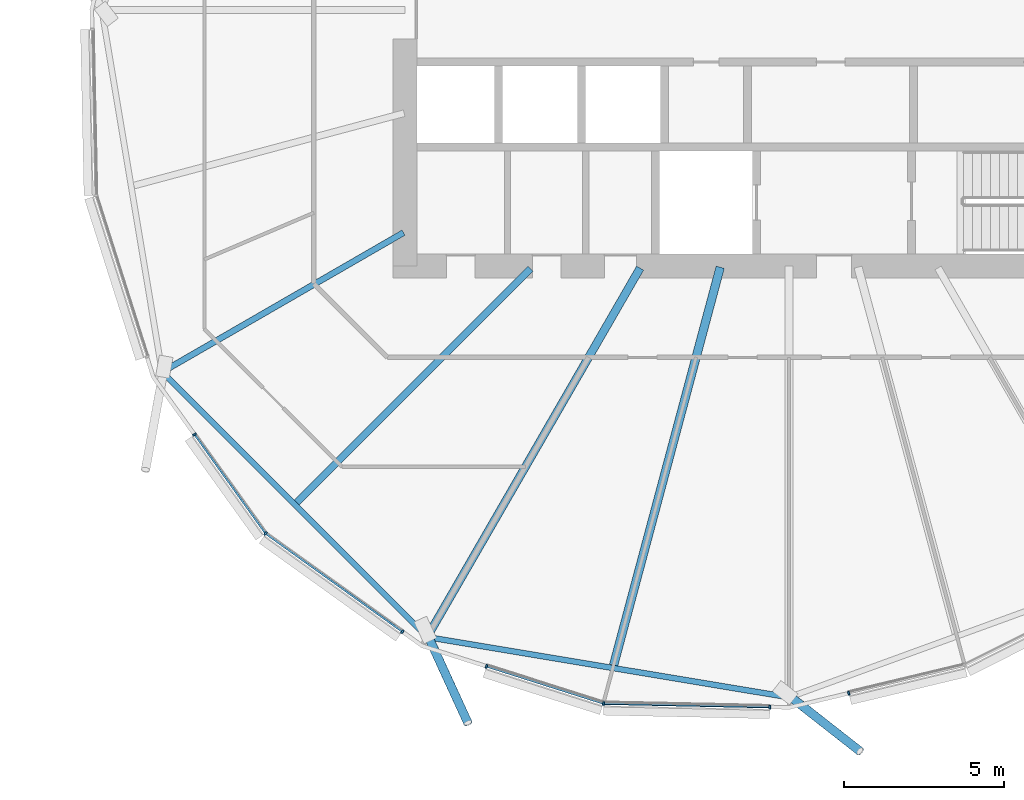
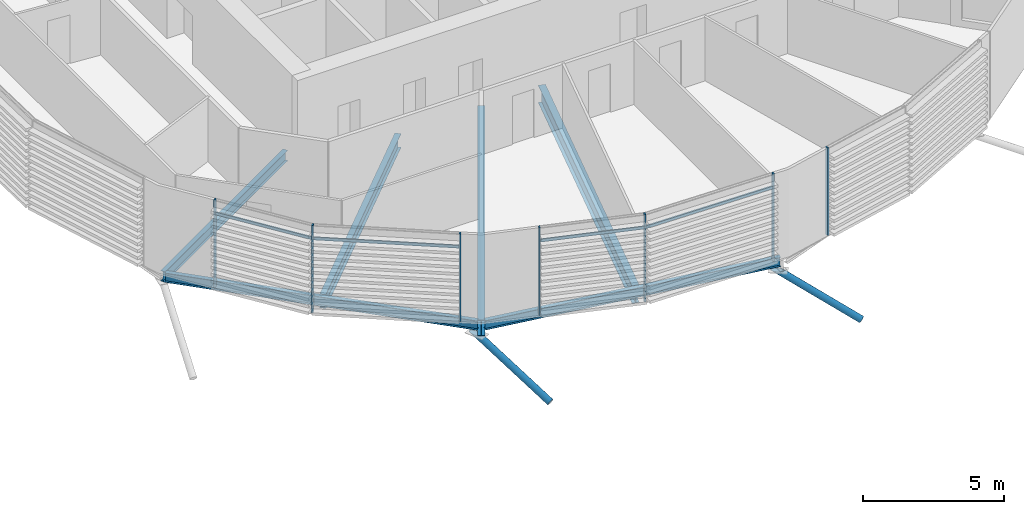
# One storey, part 13 of 38: 13 members, 6 beams, 1 element without a shape of its own.
"""IFC4 building model written with IfcOpenShell, lengths in metres."""

from ifc_helpers import new_model, si_unit, direction, frame, origin, origin_2d, place, context, subcontext, project, spatial, rectangle, hollow_circle, i_section, extrude, clip, halfspace, material, material_profile, profile_set, type_object, element, aggregate, save


model = new_model("IFC4")

# Units and contexts
model_context = context("Model", 3, precision=1e-05, world=origin(), true_north=direction((0.0, 1.0)))
body_context = subcontext(model_context, "Body", "Model", "MODEL_VIEW")
ifc_project = project(units=[si_unit("LENGTHUNIT", "METRE"), si_unit("AREAUNIT", "SQUARE_METRE"), si_unit("VOLUMEUNIT", "CUBIC_METRE"), si_unit("PLANEANGLEUNIT", "RADIAN"), si_unit("MASSUNIT", "GRAM", prefix="KILO")], contexts=[model_context])

# Site, building, storey
site_placement = place(None, origin())
site = spatial("IfcSite", under=ifc_project, at=site_placement, CompositionType="ELEMENT")
building_placement = place(site_placement, origin())
building = spatial("IfcBuilding", under=site, at=building_placement, Name="Rimbun Link Towers", CompositionType="ELEMENT")
storey_placement = place(building_placement, frame((0.0, 0.0, 123.39990234375)))
storey = spatial("IfcBuildingStorey", under=building, at=storey_placement, Name="L30", CompositionType="ELEMENT", Elevation=123.39990234375)

# Curtain wall, members
ifc_material_1 = material(Name="Aluminium 6063-T6 and low-iron glass", Category="aluminium")
curtain_wall_type = type_object("IfcCurtainWallType", Name="CW1-Z2 unitised vision wall (zone 2)", PredefinedType="NOTDEFINED", material=ifc_material_1)
curtain_wall_placement = place(storey_placement, origin())
curtain_wall = element("IfcCurtainWall", 1, at=curtain_wall_placement, inside=storey, type_object=curtain_wall_type, Name="CW1 L30 T2", PredefinedType="NOTDEFINED")
ifc_material_2 = material(Name="Aluminium 6063-T6", Category="aluminium")
ifc_material_profile_1 = material_profile(ifc_material_2, rectangle(XDim=0.1201171875, YDim=0.06005859375, at=origin_2d()), Name="MULLION 60X120")
ifc_profile_set_1 = profile_set([ifc_material_profile_1], Name="Aluminium 6063-T6")
member_type_1 = type_object("IfcMemberType", Name="CW1 mullion 60X120", PredefinedType="MULLION", material=ifc_profile_set_1)
member_1_placement = place(storey_placement, frame((15.39404296875, -16.35595703125, 0.0), z_axis=(0.0, 0.0, 1.0), x_axis=(-0.707106781187, -0.707106781187, 0.0)))
member_1 = element("IfcMember", 2, at=member_1_placement, type_object=member_type_1, Name="CW1 mullion", PredefinedType="MULLION", context=body_context, shape_type="SweptSolid", body=[
    extrude(rectangle(XDim=0.1201171875, YDim=0.06005859375, at=origin_2d()), origin(), (0.0, 0.0, 1.0), 3.800048828125),
])
member_2_placement = place(storey_placement, frame((13.171875, -13.2607421875, 0.0), z_axis=(0.0, 0.0, 1.0), x_axis=(-0.812469264421, -0.583004026034, 0.0)))
member_2 = element("IfcMember", 3, at=member_2_placement, type_object=member_type_1, Name="CW1 mullion", PredefinedType="MULLION", context=body_context, shape_type="SweptSolid", body=[
    extrude(rectangle(XDim=0.1201171875, YDim=0.06005859375, at=origin_2d()), origin(), (0.0, 0.0, 1.0), 3.800048828125),
])
member_3_placement = place(storey_placement, frame((19.667236328125, -19.42333984375, 0.0), z_axis=(0.0, 0.0, 1.0), x_axis=(-0.583004026034, -0.812469264421, 0.0)))
member_3 = element("IfcMember", 4, at=member_3_placement, type_object=member_type_1, Name="CW1 mullion", PredefinedType="MULLION", context=body_context, shape_type="SweptSolid", body=[
    extrude(rectangle(XDim=0.1201171875, YDim=0.06005859375, at=origin_2d()), origin(), (0.0, 0.0, 1.0), 3.800048828125),
])
member_4_placement = place(storey_placement, frame((25.9501953125, -21.66748046875, 0.0), z_axis=(0.0, 0.0, 1.0), x_axis=(-0.163751300484, -0.98650165311, 0.0)))
member_4 = element("IfcMember", 5, at=member_4_placement, type_object=member_type_1, Name="CW1 mullion", PredefinedType="MULLION", context=body_context, shape_type="SweptSolid", body=[
    extrude(rectangle(XDim=0.1201171875, YDim=0.06005859375, at=origin_2d()), origin(), (0.0, 0.0, 1.0), 3.800048828125),
])
member_5_placement = place(storey_placement, frame((22.294677734375, -20.505615234375, 0.0), z_axis=(0.0, 0.0, 1.0), x_axis=(-0.303073433186, -0.952967205153, 0.0)))
member_5 = element("IfcMember", 6, at=member_5_placement, type_object=member_type_1, Name="CW1 mullion", PredefinedType="MULLION", context=body_context, shape_type="SweptSolid", body=[
    extrude(rectangle(XDim=0.1201171875, YDim=0.06005859375, at=origin_2d()), origin(), (0.0, 0.0, 1.0), 3.800048828125),
])
member_6_placement = place(storey_placement, frame((31.14892578125, -21.777587890625, 0.0), z_axis=(0.0, 0.0, 1.0), x_axis=(-0.02106649948, -0.999778076675, 0.0)))
member_6 = element("IfcMember", 7, at=member_6_placement, type_object=member_type_1, Name="CW1 mullion", PredefinedType="MULLION", context=body_context, shape_type="SweptSolid", body=[
    extrude(rectangle(XDim=0.1201171875, YDim=0.06005859375, at=origin_2d()), origin(), (0.0, 0.0, 1.0), 3.800048828125),
])
member_7_placement = place(storey_placement, frame((33.61181640625, -21.3466796875, 0.0), z_axis=(0.0, 0.0, 1.0), x_axis=(0.232603182737, -0.972571724543, 0.0)))
member_7 = element("IfcMember", 8, at=member_7_placement, type_object=member_type_1, Name="CW1 mullion", PredefinedType="MULLION", context=body_context, shape_type="SweptSolid", body=[
    extrude(rectangle(XDim=0.1201171875, YDim=0.06005859375, at=origin_2d()), origin(), (0.0, 0.0, 1.0), 3.800048828125),
])
ifc_material_3 = material(Name="Aluminium 6063-T6", Category="aluminium")
ifc_material_profile_2 = material_profile(ifc_material_3, rectangle(XDim=0.06005859375, YDim=0.1201171875, at=origin_2d()), Name="TRANSOM 60X120")
ifc_profile_set_2 = profile_set([ifc_material_profile_2], Name="Aluminium 6063-T6")
member_type_2 = type_object("IfcMemberType", Name="CW1 transom 60X120", PredefinedType="USERDEFINED", material=ifc_profile_set_2)
member_8_placement = place(storey_placement, frame((15.371826171875, -16.322998046875, 3.2001953125), z_axis=(-0.582990310005, 0.812479106464, 0.0), x_axis=(-0.812479106464, -0.582990310005, 0.0)))
member_8 = element("IfcMember", 9, at=member_8_placement, type_object=member_type_2, Name="CW1 transom", ObjectType="TRANSOM", PredefinedType="USERDEFINED", context=body_context, shape_type="SweptSolid", body=[
    extrude(rectangle(XDim=0.06005859375, YDim=0.1201171875, at=origin_2d()), origin(), (0.0, 0.0, 1.0), 3.740478515625),
])
member_9_placement = place(storey_placement, frame((19.64404296875, -19.404296875, 3.2001953125), z_axis=(-0.812460270019, 0.583016560348, 0.0), x_axis=(-0.583016560348, -0.812460270019, 0.0)))
member_9 = element("IfcMember", 10, at=member_9_placement, type_object=member_type_2, Name="CW1 transom", ObjectType="TRANSOM", PredefinedType="USERDEFINED", context=body_context, shape_type="SweptSolid", body=[
    extrude(rectangle(XDim=0.06005859375, YDim=0.1201171875, at=origin_2d()), origin(), (0.0, 0.0, 1.0), 5.1904296875),
])
member_10_placement = place(storey_placement, frame((25.913818359375, -21.654541015625, 3.2001953125), z_axis=(-0.952960668818, 0.303093984907, 0.0), x_axis=(-0.303093984907, -0.952960668818, 0.0)))
member_10 = element("IfcMember", 11, at=member_10_placement, type_object=member_type_2, Name="CW1 transom", ObjectType="TRANSOM", PredefinedType="USERDEFINED", context=body_context, shape_type="SweptSolid", body=[
    extrude(rectangle(XDim=0.06005859375, YDim=0.1201171875, at=origin_2d()), origin(), (0.0, 0.0, 1.0), 3.767333984375),
])
member_11_placement = place(storey_placement, frame((31.118896484375, -21.77490234375, 3.2001953125), z_axis=(-0.999778846236, 0.02102994575, 0.0), x_axis=(-0.02102994575, -0.999778846236, 0.0)))
member_11 = element("IfcMember", 12, at=member_11_placement, type_object=member_type_2, Name="CW1 transom", ObjectType="TRANSOM", PredefinedType="USERDEFINED", context=body_context, shape_type="SweptSolid", body=[
    extrude(rectangle(XDim=0.06005859375, YDim=0.1201171875, at=origin_2d()), origin(), (0.0, 0.0, 1.0), 5.13134765625),
])
aggregate(curtain_wall, [member_1, member_2, member_3, member_4, member_5, member_6, member_7, member_8, member_9, member_10, member_11])

# Members
ifc_material_4 = material(Name="Steel S355J2H", Category="steel")
ifc_material_profile_3 = material_profile(ifc_material_4, hollow_circle(Radius=0.136474609375, WallThickness=0.012451171875, at=origin_2d()), Name="CHS 273x12.5")
ifc_profile_set_3 = profile_set([ifc_material_profile_3], Name="Steel S355J2H")
member_type_3 = type_object("IfcMemberType", Name="Floor edge link CHS 273x12.5", PredefinedType="BRACE", material=ifc_profile_set_3)
member_12_placement = place(storey_placement, frame((20.464599609375, -19.547119140625, -0.964599609375), z_axis=(0.369879014059, -0.806609702059, -0.461053471415), x_axis=(0.908986737612, 0.41682503625, 0.0)))
element("IfcMember", 13, at=member_12_placement, inside=storey, type_object=member_type_3, Name="Floor edge link T2 L30 13", PredefinedType="BRACE", context=body_context, shape_type="Clipping", body=[
    clip(extrude(hollow_circle(Radius=0.136474609375, WallThickness=0.012451171875, at=origin_2d()), frame((0.0, 0.0, -0.547119140625)), (0.0, 0.0, 1.0), 3.93994140625), halfspace(frame((0.0, 0.0, -0.258544921875), z_axis=(0.0, 0.887372355044, -0.461053471415)), False)),
])
member_13_placement = place(storey_placement, frame((31.75, -21.423095703125, -0.959716796875), z_axis=(0.670369943816, -0.525429076166, -0.523954601419), x_axis=(0.616884561477, 0.787053643541, 0.0)))
element("IfcMember", 14, at=member_13_placement, inside=storey, type_object=member_type_3, Name="Floor edge link T2 L30 15", PredefinedType="BRACE", context=body_context, shape_type="Clipping", body=[
    clip(extrude(hollow_circle(Radius=0.136474609375, WallThickness=0.012451171875, at=origin_2d()), frame((0.0, 0.0, -0.462890625)), (0.0, 0.0, 1.0), 3.7744140625), halfspace(frame((0.0, 0.0, -0.21826171875), z_axis=(0.0, 0.851746192039, -0.523954601419)), False)),
])

# Beams
ifc_material_5 = material(Name="Steel S355J2", Category="steel")
ifc_material_profile_4 = material_profile(ifc_material_5, i_section(OverallWidth=0.177978515625, OverallDepth=0.406494140625, WebThickness=0.0078125, FlangeThickness=0.0126953125, at=origin_2d()), Name="UB 406x178x60")
ifc_profile_set_4 = profile_set([ifc_material_profile_4], Name="Steel S355J2")
beam_type_1 = type_object("IfcBeamType", Name="UB 406x178x60", PredefinedType="BEAM", material=ifc_profile_set_4)
beam_1_placement = place(storey_placement, frame((12.22998046875, -11.380615234375, -0.363037109375), z_axis=(0.707106781187, -0.707106781187, 0.0), x_axis=(0.707106781187, 0.707106781187, 0.0)))
element("IfcBeam", 15, at=beam_1_placement, inside=storey, type_object=beam_type_1, Name="Edge beam T2 L30 11-13", PredefinedType="BEAM", context=body_context, shape_type="SweptSolid", body=[
    extrude(i_section(OverallWidth=0.177978515625, OverallDepth=0.406494140625, WebThickness=0.0078125, FlangeThickness=0.0126953125, at=origin_2d()), origin(), (0.0, 0.0, 1.0), 11.477783203125),
])
beam_2_placement = place(storey_placement, frame((20.57421875, -19.61279296875, -0.363037109375), z_axis=(0.986426307152, -0.164204569239, 0.0), x_axis=(0.164204569239, 0.986426307152, 0.0)))
element("IfcBeam", 16, at=beam_2_placement, inside=storey, type_object=beam_type_1, Name="Edge beam T2 L30 13-15", PredefinedType="BEAM", context=body_context, shape_type="SweptSolid", body=[
    extrude(i_section(OverallWidth=0.177978515625, OverallDepth=0.406494140625, WebThickness=0.0078125, FlangeThickness=0.0126953125, at=origin_2d()), origin(), (0.0, 0.0, 1.0), 11.2001953125),
])
ifc_material_6 = material(Name="Steel S355J2", Category="steel")
ifc_material_profile_5 = material_profile(ifc_material_6, i_section(OverallWidth=0.18994140625, OverallDepth=0.453369140625, WebThickness=0.008544921875, FlangeThickness=0.0126953125, at=origin_2d()), Name="UB 457x191x67")
ifc_profile_set_5 = profile_set([ifc_material_profile_5], Name="Steel S355J2")
beam_type_2 = type_object("IfcBeamType", Name="UB 457x191x67", PredefinedType="BEAM", material=ifc_profile_set_5)
beam_3_placement = place(storey_placement, frame((19.70166015625, -6.9560546875, -0.38671875), z_axis=(-0.866031528113, -0.499989392202, 0.0), x_axis=(0.499989392202, -0.866031528113, 0.0)))
element("IfcBeam", 17, at=beam_3_placement, inside=storey, type_object=beam_type_2, Name="Radial beam T2 L30 11", PredefinedType="BEAM", context=body_context, shape_type="SweptSolid", body=[
    extrude(i_section(OverallWidth=0.18994140625, OverallDepth=0.453369140625, WebThickness=0.008544921875, FlangeThickness=0.0126953125, at=origin_2d()), origin(), (0.0, 0.0, 1.0), 8.708740234375),
])
ifc_material_7 = material(Name="Steel S355J2", Category="steel")
ifc_material_profile_6 = material_profile(ifc_material_7, i_section(OverallWidth=0.2275390625, OverallDepth=0.6025390625, WebThickness=0.010498046875, FlangeThickness=0.014892578125, at=origin_2d()), Name="UB 610x229x101")
ifc_profile_set_6 = profile_set([ifc_material_profile_6], Name="Steel S355J2")
beam_type_3 = type_object("IfcBeamType", Name="UB 610x229x101", PredefinedType="BEAM", material=ifc_profile_set_6)
beam_4_placement = place(storey_placement, frame((23.668701171875, -8.081298828125, -0.461181640625), z_axis=(-0.707106781187, -0.707106781187, 0.0), x_axis=(0.707106781187, -0.707106781187, 0.0)))
element("IfcBeam", 18, at=beam_4_placement, inside=storey, type_object=beam_type_3, Name="Radial beam T2 L30 12", PredefinedType="BEAM", context=body_context, shape_type="SweptSolid", body=[
    extrude(i_section(OverallWidth=0.2275390625, OverallDepth=0.6025390625, WebThickness=0.010498046875, FlangeThickness=0.014892578125, at=origin_2d()), origin(), (0.0, 0.0, 1.0), 10.33154296875),
])
ifc_material_8 = material(Name="Steel S355J2", Category="steel")
ifc_material_profile_7 = material_profile(ifc_material_8, i_section(OverallWidth=0.253662109375, OverallDepth=0.68359375, WebThickness=0.012451171875, FlangeThickness=0.01904296875, at=origin_2d()), Name="UB 686x254x140")
ifc_profile_set_7 = profile_set([ifc_material_profile_7], Name="Steel S355J2")
beam_type_4 = type_object("IfcBeamType", Name="UB 686x254x140", PredefinedType="BEAM", material=ifc_profile_set_7)
beam_5_placement = place(storey_placement, frame((27.093994140625, -8.064208984375, -0.501708984375), z_axis=(-0.499982340756, -0.866035599114, 0.0), x_axis=(0.866035599114, -0.499982340756, 0.0)))
element("IfcBeam", 19, at=beam_5_placement, inside=storey, type_object=beam_type_4, Name="Radial beam T2 L30 13", PredefinedType="BEAM", context=body_context, shape_type="SweptSolid", body=[
    extrude(i_section(OverallWidth=0.253662109375, OverallDepth=0.68359375, WebThickness=0.012451171875, FlangeThickness=0.01904296875, at=origin_2d()), origin(), (0.0, 0.0, 1.0), 13.30908203125),
])
ifc_material_9 = material(Name="Steel S355J2", Category="steel")
ifc_material_profile_8 = material_profile(ifc_material_9, i_section(OverallWidth=0.2666015625, OverallDepth=0.76220703125, WebThickness=0.014404296875, FlangeThickness=0.021484375, at=origin_2d()), Name="UB 762x267x173")
ifc_profile_set_8 = profile_set([ifc_material_profile_8], Name="Steel S355J2")
beam_type_5 = type_object("IfcBeamType", Name="UB 762x267x173", PredefinedType="BEAM", material=ifc_profile_set_8)
beam_6_placement = place(storey_placement, frame((29.596923828125, -8.035400390625, -0.541015625), z_axis=(-0.258816984012, -0.965926378554, 0.0), x_axis=(0.965926378554, -0.258816984012, 0.0)))
element("IfcBeam", 20, at=beam_6_placement, inside=storey, type_object=beam_type_5, Name="Radial beam T2 L30 14", PredefinedType="BEAM", context=body_context, shape_type="SweptSolid", body=[
    extrude(i_section(OverallWidth=0.2666015625, OverallDepth=0.76220703125, WebThickness=0.014404296875, FlangeThickness=0.021484375, at=origin_2d()), origin(), (0.0, 0.0, 1.0), 12.872314453125),
])

save(model, "model.ifc")
